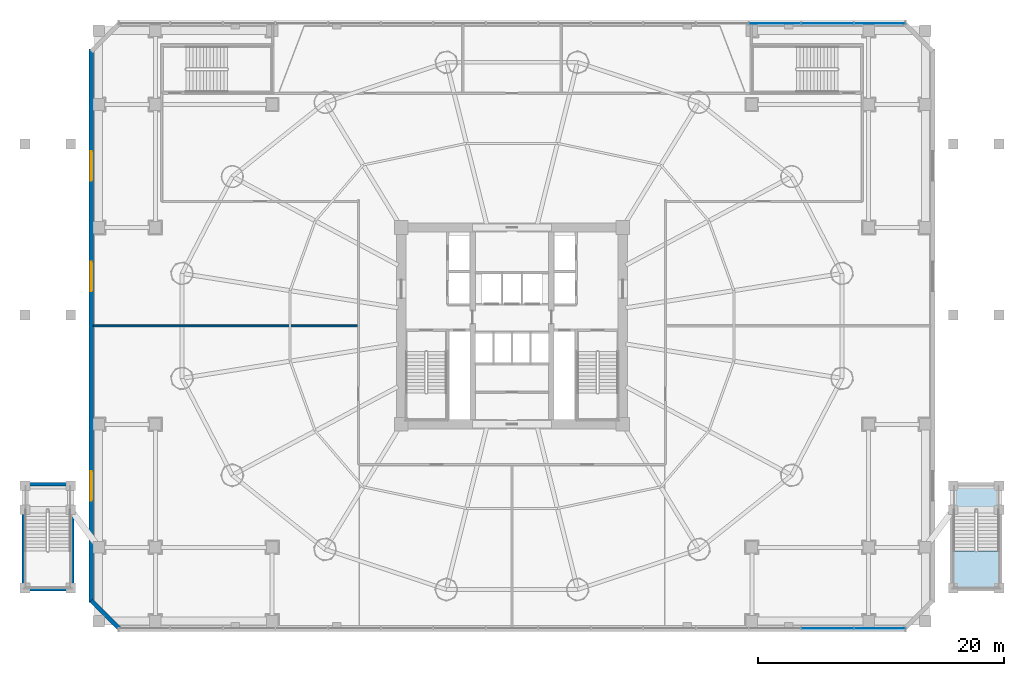
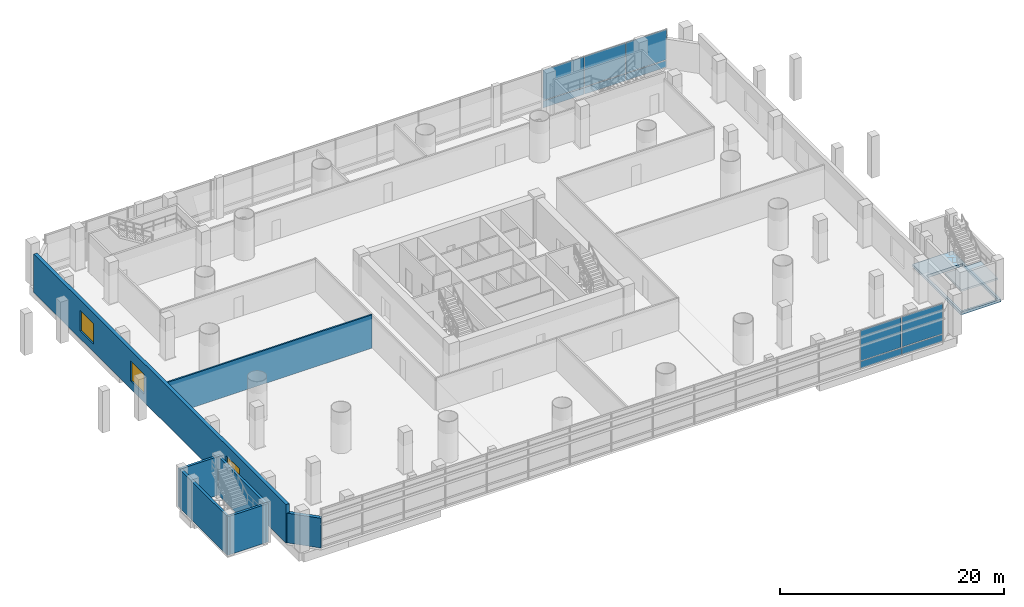
# One storey, part 20 of 36: 10 plates, 7 walls, 3 windows, 2 slabs, 3 openings, 3 elements without a shape of their own.
"""IFC4 building model written with IfcOpenShell, lengths in metres."""

from ifc_helpers import new_model, si_unit, direction, frame, frame_2d, origin, origin_2d, place, context, subcontext, project, spatial, polyline, rectangle, outline, extrude, source, transform, mapped, material, layer, layer_set, type_object, element, fill, aggregate, save


model = new_model("IFC4")

# Units and contexts
model_context = context("Model", 3, precision=1e-05, world=origin(), true_north=direction((-0.2419218956, 0.970295726276)))
body_context = subcontext(model_context, "Body", "Model", "MODEL_VIEW")
ifc_project = project(units=[si_unit("LENGTHUNIT", "METRE"), si_unit("AREAUNIT", "SQUARE_METRE"), si_unit("VOLUMEUNIT", "CUBIC_METRE"), si_unit("PLANEANGLEUNIT", "RADIAN"), si_unit("MASSUNIT", "GRAM", prefix="KILO")], contexts=[model_context])

# Site, building, storey
site_placement = place(None, origin())
site = spatial("IfcSite", under=ifc_project, at=site_placement, CompositionType="ELEMENT")
building_placement = place(site_placement, origin())
building = spatial("IfcBuilding", under=site, at=building_placement, Name="Cobrevalo Terracotta Tower", CompositionType="ELEMENT")
storey_placement = place(building_placement, frame((0.0, 0.0, 5.39990234375)))
storey = spatial("IfcBuildingStorey", under=building, at=storey_placement, Name="L01", CompositionType="ELEMENT", Elevation=5.39990234375)

# Slab
ifc_material_1 = material(Name="Concrete C50", Category="concrete")
ifc_layer_1 = layer(ifc_material_1, 0.300048828125)
ifc_layer_set_1 = layer_set([ifc_layer_1], Name="Concrete C50")
slab_type_1 = type_object("IfcSlabType", Name="Podium L01-L03 floor slab 300 mm", PredefinedType="FLOOR", material=ifc_layer_set_1)
slab_1_placement = place(storey_placement, frame((0.0, 0.0, -0.2998046875)))
element("IfcSlab", 1, at=slab_1_placement, inside=storey, type_object=slab_type_1, Name="L01 East monumental raised-garden stair structural floor landing slab", PredefinedType="FLOOR", context=body_context, shape_type="SweptSolid", body=[
    extrude(outline(polyline([(73.679931640625, 13.949951171875), (77.800048828125, 13.949951171875), (77.800048828125, 5.300048828125), (73.679931640625, 5.300048828125), (73.679931640625, 13.949951171875)]), holes=[polyline([(73.8798828125, 5.5), (77.60009765625, 5.5), (77.60009765625, 11.800048828125), (73.8798828125, 11.800048828125), (73.8798828125, 5.5)])]), origin(), (0.0, 0.0, 1.0), 0.2998046875),
])

# Stair, slab
ifc_material_2 = material(Name="Precast concrete C45", Category="concrete")
stair_type = type_object("IfcStairType", Name="Monumental raised-garden dogleg stair 1850", PredefinedType="HALF_TURN_STAIR", material=ifc_material_2)
stair_placement = place(storey_placement, origin())
stair = element("IfcStair", 2, at=stair_placement, inside=storey, type_object=stair_type, Name="L01 East monumental raised-garden stair", PredefinedType="HALF_TURN_STAIR")
ifc_layer_2 = layer(ifc_material_1, 0.199951171875)
ifc_layer_set_2 = layer_set([ifc_layer_2], Name="Concrete C50")
slab_type_2 = type_object("IfcSlabType", Name="Reinforced Concrete Stair Landing 200", PredefinedType="LANDING", material=ifc_layer_set_2)
slab_2_placement = place(storey_placement, frame((0.0, 0.0, 2.050048828125)))
slab_2 = element("IfcSlab", 3, at=slab_2_placement, type_object=slab_type_2, Name="ST-EXT-E landing 1", PredefinedType="LANDING", context=body_context, shape_type="SweptSolid", body=[
    extrude(outline(polyline([(73.8798828125, 8.489990234375), (73.8798828125, 5.5), (77.60009765625, 5.5), (77.60009765625, 8.489990234375), (73.8798828125, 8.489990234375)])), origin(), (0.0, 0.0, 1.0), 0.199951171875),
])
aggregate(stair, [slab_2])

# Curtain wall, plate
ifc_material_3 = material(Name="Anodized aluminium", Category="aluminium")
curtain_wall_type = type_object("IfcCurtainWallType", Name="Double-height storefront stick curtain wall CW-S1", PredefinedType="NOTDEFINED", material=ifc_material_3)
curtain_wall_1_placement = place(storey_placement, origin())
curtain_wall_1 = element("IfcCurtainWall", 4, at=curtain_wall_1_placement, inside=storey, type_object=curtain_wall_type, Name="L01 curtain wall CW-POD-L01-S", PredefinedType="NOTDEFINED")
ifc_material_4 = material(Name="Terracotta-faced insulated spandrel", Category="masonry")
ifc_layer_3 = layer(ifc_material_4, 0.044921875)
ifc_layer_set_3 = layer_set([ifc_layer_3], Name="Terracotta-faced insulated spandrel")
plate_type_1 = type_object("IfcPlateType", Name="Insulated terracotta-faced spandrel cassette 45 mm", PredefinedType="CURTAIN_PANEL", material=ifc_layer_set_3)
shared_shape_1 = source(origin(), body_context, "Body", "SweptSolid", [
    extrude(rectangle(XDim=4.1533203125, YDim=0.044921875, at=origin_2d()), origin(), (0.0, 0.0, 1.0), 0.739990234375),
])
plate_1_placement = place(storey_placement, frame((67.893310546875, 2.199951171875, 0.0400390625), z_axis=(0.0, 0.0, 1.0), x_axis=(1.0, 0.0, 0.0)))
plate_1 = element("IfcPlate", 5, at=plate_1_placement, type_object=plate_type_1, Name="CW-POD-L01-S terracotta spandrel panel B15", PredefinedType="CURTAIN_PANEL", context=body_context, shape_type="MappedRepresentation", body=[
    mapped(shared_shape_1, transform((0.0, 0.0, 0.0), scale=1.0)),
])

curtain_wall_2_placement = place(storey_placement, origin())
curtain_wall_2 = element("IfcCurtainWall", 6, at=curtain_wall_2_placement, inside=storey, type_object=curtain_wall_type, Name="L01 curtain wall CW-POD-L01-N", PredefinedType="NOTDEFINED")
plate_2_placement = place(storey_placement, frame((67.893310546875, 51.39990234375, 0.0400390625), z_axis=(0.0, 0.0, 1.0), x_axis=(-1.0, 0.0, 0.0)))
plate_2 = element("IfcPlate", 7, at=plate_2_placement, type_object=plate_type_1, Name="CW-POD-L01-N terracotta spandrel panel B01", PredefinedType="CURTAIN_PANEL", context=body_context, shape_type="MappedRepresentation", body=[
    mapped(shared_shape_1, transform((0.0, 0.0, 0.0), scale=1.0)),
])

# Plate
ifc_material_5 = material(Name="Laminated low-E double glazing", Category="glass")
ifc_layer_4 = layer(ifc_material_5, 0.031982421875)
ifc_layer_set_4 = layer_set([ifc_layer_4], Name="Laminated low-E double glazing")
plate_type_2 = type_object("IfcPlateType", Name="Podium clear acoustic laminated glazing panel 32 mm", PredefinedType="CURTAIN_PANEL", material=ifc_layer_set_4)
shared_shape_2 = source(origin(), body_context, "Body", "SweptSolid", [
    extrude(rectangle(XDim=4.1533203125, YDim=0.035888671875, at=origin_2d()), origin(), (0.0, 0.0, 1.0), 3.300048828125),
])
plate_3_placement = place(storey_placement, frame((67.893310546875, 2.199951171875, 0.85986328125), z_axis=(0.0, 0.0, 1.0), x_axis=(1.0, 0.0, 0.0)))
plate_3 = element("IfcPlate", 8, at=plate_3_placement, type_object=plate_type_2, Name="CW-POD-L01-S glazing panel B15", PredefinedType="CURTAIN_PANEL", context=body_context, shape_type="MappedRepresentation", body=[
    mapped(shared_shape_2, transform((0.0, 0.0, 0.0), scale=1.0)),
])

plate_4_placement = place(storey_placement, frame((67.893310546875, 51.39990234375, 0.85986328125), z_axis=(0.0, 0.0, 1.0), x_axis=(-1.0, 0.0, 0.0)))
plate_4 = element("IfcPlate", 9, at=plate_4_placement, type_object=plate_type_2, Name="CW-POD-L01-N glazing panel B01", PredefinedType="CURTAIN_PANEL", context=body_context, shape_type="MappedRepresentation", body=[
    mapped(shared_shape_2, transform((0.0, 0.0, 0.0), scale=1.0)),
])

shared_shape_3 = source(origin(), body_context, "Body", "SweptSolid", [
    extrude(rectangle(XDim=4.193359375, YDim=0.044921875, at=origin_2d()), origin(), (0.0, 0.0, 1.0), 0.739990234375),
])
plate_5_placement = place(storey_placement, frame((63.639892578125, 2.199951171875, 0.0400390625), z_axis=(0.0, 0.0, 1.0), x_axis=(1.0, 0.0, 0.0)))
plate_5 = element("IfcPlate", 10, at=plate_5_placement, type_object=plate_type_1, Name="CW-POD-L01-S terracotta spandrel panel B14", PredefinedType="CURTAIN_PANEL", context=body_context, shape_type="MappedRepresentation", body=[
    mapped(shared_shape_3, transform((0.0, 0.0, 0.0), scale=1.0)),
])

plate_6_placement = place(storey_placement, frame((63.639892578125, 51.39990234375, 0.0400390625), z_axis=(0.0, 0.0, 1.0), x_axis=(-1.0, 0.0, 0.0)))
plate_6 = element("IfcPlate", 11, at=plate_6_placement, type_object=plate_type_1, Name="CW-POD-L01-N terracotta spandrel panel B02", PredefinedType="CURTAIN_PANEL", context=body_context, shape_type="MappedRepresentation", body=[
    mapped(shared_shape_3, transform((0.0, 0.0, 0.0), scale=1.0)),
])

plate_7_placement = place(storey_placement, frame((59.36669921875, 51.39990234375, 0.0400390625), z_axis=(0.0, 0.0, 1.0), x_axis=(-1.0, 0.0, 0.0)))
plate_7 = element("IfcPlate", 12, at=plate_7_placement, type_object=plate_type_1, Name="CW-POD-L01-N terracotta spandrel panel B03", PredefinedType="CURTAIN_PANEL", context=body_context, shape_type="MappedRepresentation", body=[
    mapped(shared_shape_3, transform((0.0, 0.0, 0.0), scale=1.0)),
])

shared_shape_4 = source(origin(), body_context, "Body", "SweptSolid", [
    extrude(rectangle(XDim=4.193359375, YDim=0.035888671875, at=origin_2d()), origin(), (0.0, 0.0, 1.0), 3.300048828125),
])
plate_8_placement = place(storey_placement, frame((63.639892578125, 2.199951171875, 0.85986328125), z_axis=(0.0, 0.0, 1.0), x_axis=(1.0, 0.0, 0.0)))
plate_8 = element("IfcPlate", 13, at=plate_8_placement, type_object=plate_type_2, Name="CW-POD-L01-S glazing panel B14", PredefinedType="CURTAIN_PANEL", context=body_context, shape_type="MappedRepresentation", body=[
    mapped(shared_shape_4, transform((0.0, 0.0, 0.0), scale=1.0)),
])

aggregate(curtain_wall_1, [plate_5, plate_8, plate_1, plate_3])

plate_9_placement = place(storey_placement, frame((63.639892578125, 51.39990234375, 0.85986328125), z_axis=(0.0, 0.0, 1.0), x_axis=(-1.0, 0.0, 0.0)))
plate_9 = element("IfcPlate", 14, at=plate_9_placement, type_object=plate_type_2, Name="CW-POD-L01-N glazing panel B02", PredefinedType="CURTAIN_PANEL", context=body_context, shape_type="MappedRepresentation", body=[
    mapped(shared_shape_4, transform((0.0, 0.0, 0.0), scale=1.0)),
])

plate_10_placement = place(storey_placement, frame((59.36669921875, 51.39990234375, 0.85986328125), z_axis=(0.0, 0.0, 1.0), x_axis=(-1.0, 0.0, 0.0)))
plate_10 = element("IfcPlate", 15, at=plate_10_placement, type_object=plate_type_2, Name="CW-POD-L01-N glazing panel B03", PredefinedType="CURTAIN_PANEL", context=body_context, shape_type="MappedRepresentation", body=[
    mapped(shared_shape_4, transform((0.0, 0.0, 0.0), scale=1.0)),
])

aggregate(curtain_wall_2, [plate_2, plate_4, plate_6, plate_9, plate_7, plate_10])

# Wall, openings, windows
ifc_material_6 = material(Name="Concrete C45", Category="concrete")
ifc_layer_5 = layer(ifc_material_6, 0.35009765625)
ifc_layer_set_5 = layer_set([ifc_layer_5], Name="Concrete C45")
wall_type_1 = type_object("IfcWallType", Name="Board-marked precast architectural concrete facade wall 350 mm", PredefinedType="SOLIDWALL", material=ifc_layer_set_5)
wall_1_placement = place(storey_placement, frame((3.800048828125, 49.300048828125, 0.0), z_axis=(0.0, 0.0, 1.0), x_axis=(0.0, -1.0, 0.0)))
wall_1 = element("IfcWall", 16, at=wall_1_placement, inside=storey, type_object=wall_type_1, Name="L01 west podium facade wall", PredefinedType="SOLIDWALL", context=body_context, shape_type="SweptSolid", body=[
    extrude(rectangle(XDim=45.0, YDim=0.35009765625, at=frame_2d((22.5, 0.0))), origin(), (0.0, 0.0, 1.0), 4.2001953125),
])
opening_1_placement = place(wall_1_placement, frame((8.300048828125, 0.0, 0.85009765625)))
opening_1 = element("IfcOpeningElement", 17, at=opening_1_placement, cuts=wall_1, Name="Opening WN-09", PredefinedType="OPENING", context=body_context, shape_type="SweptSolid", body=[
    extrude(rectangle(XDim=2.39990234375, YDim=2.199951171875, at=frame_2d((1.199951171875, 1.10009765625))), frame((0.0, 0.18505859375, 0.0), z_axis=(0.0, -1.0, 0.0), x_axis=(1.0, 0.0, 0.0)), (0.0, 0.0, 1.0), 0.3701171875),
])
opening_2_placement = place(wall_1_placement, frame((17.300048828125, 0.0, 0.85009765625)))
opening_2 = element("IfcOpeningElement", 18, at=opening_2_placement, cuts=wall_1, Name="Opening WN-09", PredefinedType="OPENING", context=body_context, shape_type="SweptSolid", body=[
    extrude(rectangle(XDim=2.39990234375, YDim=2.199951171875, at=frame_2d((1.199951171875, 1.10009765625))), frame((0.0, 0.18505859375, 0.0), z_axis=(0.0, -1.0, 0.0), x_axis=(1.0, 0.0, 0.0)), (0.0, 0.0, 1.0), 0.3701171875),
])
opening_3_placement = place(wall_1_placement, frame((34.300048828125, 0.0, 0.85009765625)))
opening_3 = element("IfcOpeningElement", 19, at=opening_3_placement, cuts=wall_1, Name="Opening WN-09", PredefinedType="OPENING", context=body_context, shape_type="SweptSolid", body=[
    extrude(rectangle(XDim=2.39990234375, YDim=2.199951171875, at=frame_2d((1.199951171875, 1.10009765625))), frame((0.0, 0.18505859375, 0.0), z_axis=(0.0, -1.0, 0.0), x_axis=(1.0, 0.0, 0.0)), (0.0, 0.0, 1.0), 0.3701171875),
])
ifc_material_7 = material(Name="Solar-control low-E double glazing", Category="glass")
window_type = type_object("IfcWindowType", Name="Podium upper gallery bronze-anodized window 2400x2200", PartitioningType="SINGLE_PANEL", PredefinedType="WINDOW", material=ifc_material_7)
shared_shape_5 = source(origin(), body_context, "Body", "SweptSolid", [
    extrude(rectangle(XDim=2.39990234375, YDim=2.199951171875, at=frame_2d((1.199951171875, 1.10009765625))), frame((0.0, 0.030029296875, 0.0), z_axis=(0.0, -1.0, 0.0), x_axis=(1.0, 0.0, 0.0)), (0.0, 0.0, 1.0), 0.06005859375),
])
window_1_placement = place(opening_1_placement, origin())
window_1 = element("IfcWindow", 20, at=window_1_placement, inside=storey, type_object=window_type, Name="L01 west gallery window 1", OverallHeight=2.199951171875, OverallWidth=2.39990234375, PartitioningType="SINGLE_PANEL", PredefinedType="WINDOW", context=body_context, shape_type="MappedRepresentation", body=[
    mapped(shared_shape_5, transform((0.0, 0.0, 0.0), scale=1.0)),
])
fill(opening_1, window_1)
window_2_placement = place(opening_2_placement, origin())
window_2 = element("IfcWindow", 21, at=window_2_placement, inside=storey, type_object=window_type, Name="L01 west gallery window 2", OverallHeight=2.199951171875, OverallWidth=2.39990234375, PartitioningType="SINGLE_PANEL", PredefinedType="WINDOW", context=body_context, shape_type="MappedRepresentation", body=[
    mapped(shared_shape_5, transform((0.0, 0.0, 0.0), scale=1.0)),
])
fill(opening_2, window_2)
window_3_placement = place(opening_3_placement, origin())
window_3 = element("IfcWindow", 22, at=window_3_placement, inside=storey, type_object=window_type, Name="L01 west gallery window 3", OverallHeight=2.199951171875, OverallWidth=2.39990234375, PartitioningType="SINGLE_PANEL", PredefinedType="WINDOW", context=body_context, shape_type="MappedRepresentation", body=[
    mapped(shared_shape_5, transform((0.0, 0.0, 0.0), scale=1.0)),
])
fill(opening_3, window_3)

# Walls
wall_2_placement = place(storey_placement, frame((3.800048828125, 4.47998046875, 0.0), z_axis=(0.0, 0.0, 1.0), x_axis=(0.707106781187, -0.707106781187, 0.0)))
element("IfcWall", 23, at=wall_2_placement, inside=storey, type_object=wall_type_1, Name="L01 chamfered corner pier SW", PredefinedType="SOLIDWALL", context=body_context, shape_type="SweptSolid", body=[
    extrude(rectangle(XDim=3.224365234375, YDim=0.35009765625, at=frame_2d((1.6123046875, 0.0))), origin(), (0.0, 0.0, 1.0), 3.235107421875),
])
ifc_layer_6 = layer(ifc_material_1, 0.25)
ifc_layer_set_6 = layer_set([ifc_layer_6], Name="Concrete C50")
wall_type_2 = type_object("IfcWallType", Name="Exterior raised-garden stair shaft RC wall 250 mm Concrete C50", PredefinedType="SOLIDWALL", material=ifc_layer_set_6)
for number, where, z_axis, x_axis, name in (
    (24, (-1.72509765625, 5.25, 0.0), (0.0, 0.0, 1.0), (0.0, 1.0, 0.0), "L01 West monumental raised-garden stair structural shaft wall W"),
    (25, (2.2451171875, 5.25, 0.0), (0.0, 0.0, 1.0), (0.0, 1.0, 0.0), "L01 West monumental raised-garden stair structural shaft wall E"),
):
    element("IfcWall", number, at=place(storey_placement, frame(where, z_axis=z_axis, x_axis=x_axis)), inside=storey, type_object=wall_type_2, Name=name, PredefinedType="SOLIDWALL", context=body_context, shape_type="SweptSolid", body=[
        extrude(rectangle(XDim=8.675048828125, YDim=0.25, at=frame_2d((4.33740234375, 0.0))), origin(), (0.0, 0.0, 1.0), 4.2001953125),
    ])
for number, where, z_axis, x_axis, name in (
    (26, (-1.85009765625, 5.375, 0.0), (0.0, 0.0, 1.0), (1.0, 0.0, 0.0), "L01 West monumental raised-garden stair structural shaft wall S"),
    (27, (-1.85009765625, 13.925048828125, 0.0), (0.0, 0.0, 1.0), (1.0, 0.0, 0.0), "L01 West monumental raised-garden stair structural shaft wall N"),
):
    element("IfcWall", number, at=place(storey_placement, frame(where, z_axis=z_axis, x_axis=x_axis)), inside=storey, type_object=wall_type_2, Name=name, PredefinedType="SOLIDWALL", context=body_context, shape_type="SweptSolid", body=[
        extrude(rectangle(XDim=4.22021484375, YDim=0.25, at=frame_2d((2.110107421875, 0.0))), origin(), (0.0, 0.0, 1.0), 4.2001953125),
    ])
ifc_material_8 = material(Name="Gypsum board on steel stud", Category="steel")
ifc_layer_7 = layer(ifc_material_8, 0.159912109375)
ifc_layer_set_7 = layer_set([ifc_layer_7], Name="Gypsum board on steel stud")
wall_type_3 = type_object("IfcWallType", Name="Fire-rated corridor acoustic partition wall 160 mm", PredefinedType="PARTITIONING", material=ifc_layer_set_7)
wall_3_placement = place(storey_placement, frame((3.9599609375, 26.800048828125, 0.0), z_axis=(0.0, 0.0, 1.0), x_axis=(1.0, 0.0, 0.0)))
element("IfcWall", 28, at=wall_3_placement, inside=storey, type_object=wall_type_3, Name="L01 interior partition IW-L01-PW-M", PredefinedType="PARTITIONING", context=body_context, shape_type="SweptSolid", body=[
    extrude(rectangle(XDim=21.47802734375, YDim=0.159912109375, at=frame_2d((10.739013671875, 0.0))), origin(), (0.0, 0.0, 1.0), 3.64208984375),
])

save(model, "model.ifc")
